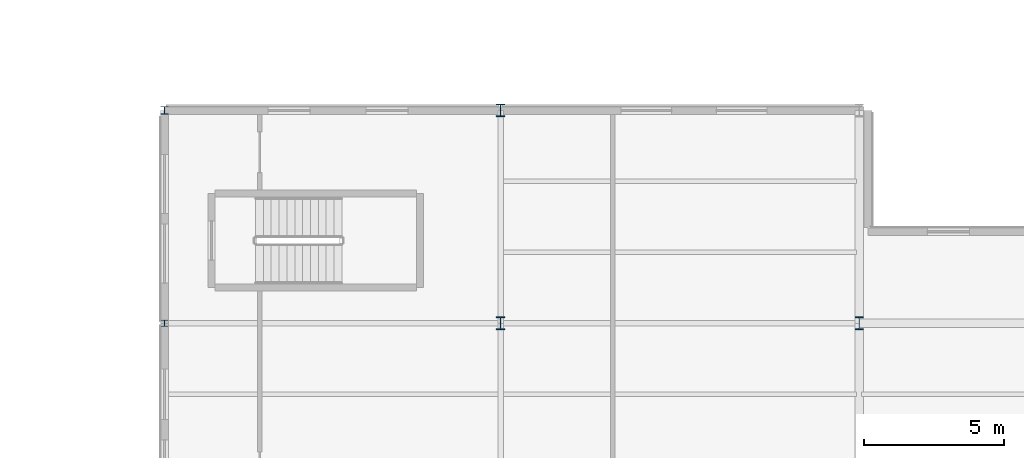
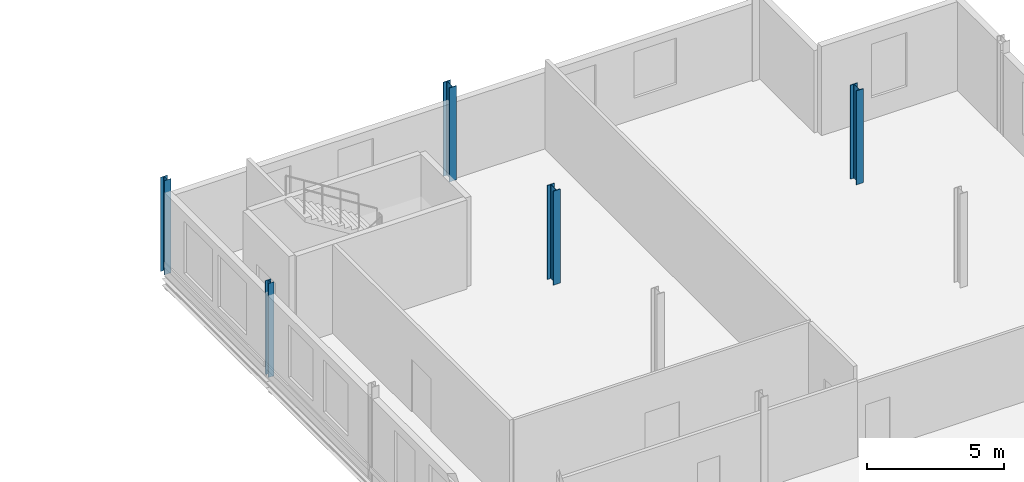
# One storey, part 13 of 93: 5 columns.
"""IFC4 building model written with IfcOpenShell, lengths in metres."""

from ifc_helpers import new_model, si_unit, direction, frame, origin, origin_2d, place, context, subcontext, project, spatial, i_section, extrude, material, material_profile, profile_set, type_object, element, save


model = new_model("IFC4")

# Units and contexts
model_context = context("Model", 3, precision=1e-05, world=origin(), true_north=direction((0.0, 1.0)))
body_context = subcontext(model_context, "Body", "Model", "MODEL_VIEW")
ifc_project = project(units=[si_unit("LENGTHUNIT", "METRE"), si_unit("AREAUNIT", "SQUARE_METRE"), si_unit("VOLUMEUNIT", "CUBIC_METRE"), si_unit("PLANEANGLEUNIT", "RADIAN"), si_unit("MASSUNIT", "GRAM", prefix="KILO")], contexts=[model_context])

# Site, building, storey
site_placement = place(None, origin())
site = spatial("IfcSite", under=ifc_project, at=site_placement, CompositionType="ELEMENT")
building_placement = place(site_placement, origin())
building = spatial("IfcBuilding", under=site, at=building_placement, Name="Vekula Escarpment Museum", CompositionType="ELEMENT")
storey_placement = place(building_placement, frame((0.0, 0.0, 22.199951171875)))
storey = spatial("IfcBuildingStorey", under=building, at=storey_placement, Name="L05", CompositionType="ELEMENT", Elevation=22.199951171875)

# Columns
ifc_material_1 = material(Name="Steel S355", Category="steel")
ifc_material_profile_1 = material_profile(ifc_material_1, i_section(OverallWidth=0.239990234375, OverallDepth=0.22998046875, WebThickness=0.007568359375, FlangeThickness=0.011962890625, FilletRadius=0.02099609375, at=origin_2d()), Name="HEA 240")
ifc_profile_set_1 = profile_set([ifc_material_profile_1], Name="Steel S355")
column_type_1 = type_object("IfcColumnType", Name="COL-S-HEA240", PredefinedType="COLUMN", material=ifc_profile_set_1)
column_1_placement = place(storey_placement, frame((167.0, 113.199951171875, 0.0), z_axis=(0.0, 0.0, 1.0), x_axis=(1.0, 0.0, 0.0)))
element("IfcColumn", 1, at=column_1_placement, inside=storey, type_object=column_type_1, Name="Column L05 (167.0,113.2)", PredefinedType="COLUMN", context=body_context, shape_type="SweptSolid", body=[
    extrude(i_section(OverallWidth=0.239990234375, OverallDepth=0.22998046875, WebThickness=0.007568359375, FlangeThickness=0.011962890625, FilletRadius=0.02099609375, at=origin_2d()), origin(), (0.0, 0.0, 1.0), 4.199951171875),
])
ifc_material_2 = material(Name="Steel S355", Category="steel")
ifc_material_profile_2 = material_profile(ifc_material_2, i_section(OverallWidth=0.280029296875, OverallDepth=0.27001953125, WebThickness=0.008056640625, FlangeThickness=0.012939453125, FilletRadius=0.02392578125, at=origin_2d()), Name="HEA 280")
ifc_profile_set_2 = profile_set([ifc_material_profile_2], Name="Steel S355")
column_type_2 = type_object("IfcColumnType", Name="COL-S-HEA280", PredefinedType="COLUMN", material=ifc_profile_set_2)
column_2_placement = place(storey_placement, frame((167.0, 120.800048828125, 0.0), z_axis=(0.0, 0.0, 1.0), x_axis=(1.0, 0.0, 0.0)))
element("IfcColumn", 2, at=column_2_placement, inside=storey, type_object=column_type_2, Name="Column L05 (167.0,120.8)", PredefinedType="COLUMN", context=body_context, shape_type="SweptSolid", body=[
    extrude(i_section(OverallWidth=0.280029296875, OverallDepth=0.27001953125, WebThickness=0.008056640625, FlangeThickness=0.012939453125, FilletRadius=0.02392578125, at=origin_2d()), origin(), (0.0, 0.0, 1.0), 4.199951171875),
])
ifc_material_3 = material(Name="Steel S355", Category="steel")
ifc_material_profile_3 = material_profile(ifc_material_3, i_section(OverallWidth=0.300048828125, OverallDepth=0.449951171875, WebThickness=0.013916015625, FlangeThickness=0.02587890625, FilletRadius=0.027099609375, at=origin_2d()), Name="HEB 450")
ifc_profile_set_3 = profile_set([ifc_material_profile_3], Name="Steel S355")
column_type_3 = type_object("IfcColumnType", Name="COL-S-HEB450", PredefinedType="COLUMN", material=ifc_profile_set_3)
for number, where, z_axis, x_axis, name in (
    (3, (179.0, 113.199951171875, 0.0), (0.0, 0.0, 1.0), (1.0, 0.0, 0.0), "Column L05 (179.0,113.2)"),
    (4, (179.0, 120.800048828125, 0.0), (0.0, 0.0, 1.0), (1.0, 0.0, 0.0), "Column L05 (179.0,120.8)"),
    (5, (191.800048828125, 113.199951171875, 0.0), (0.0, 0.0, 1.0), (1.0, 0.0, 0.0), "Column L05 (191.8,113.2)"),
):
    element("IfcColumn", number, at=place(storey_placement, frame(where, z_axis=z_axis, x_axis=x_axis)), inside=storey, type_object=column_type_3, Name=name, PredefinedType="COLUMN", context=body_context, shape_type="SweptSolid", body=[
        extrude(i_section(OverallWidth=0.300048828125, OverallDepth=0.449951171875, WebThickness=0.013916015625, FlangeThickness=0.02587890625, FilletRadius=0.027099609375, at=origin_2d()), origin(), (0.0, 0.0, 1.0), 4.199951171875),
    ])

save(model, "model.ifc")
